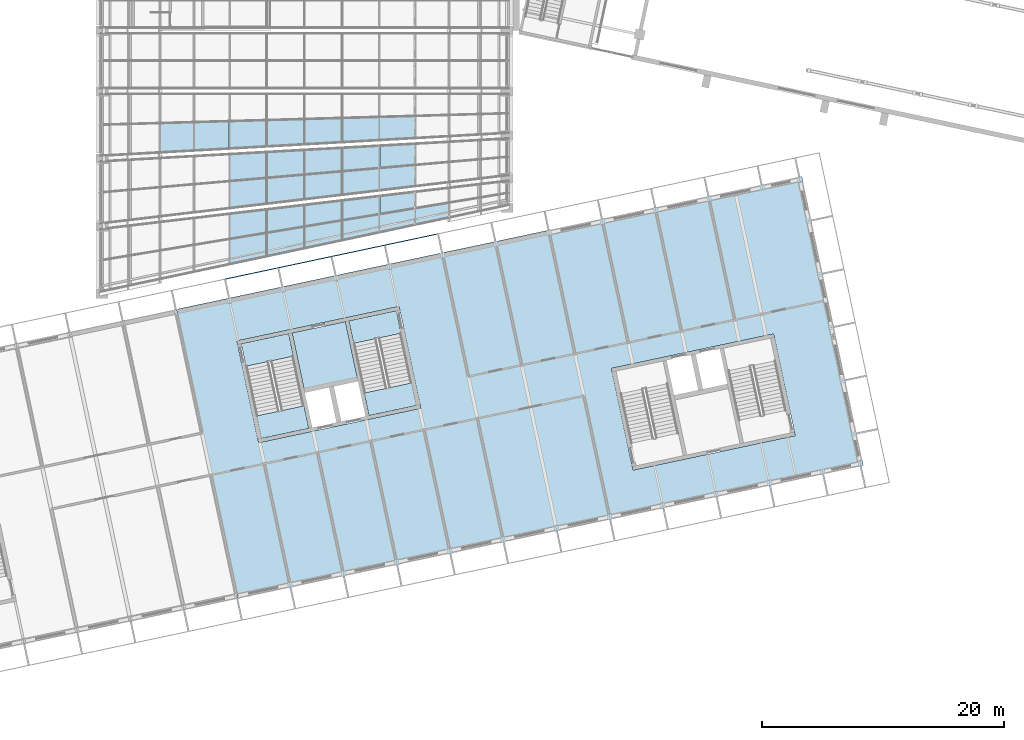
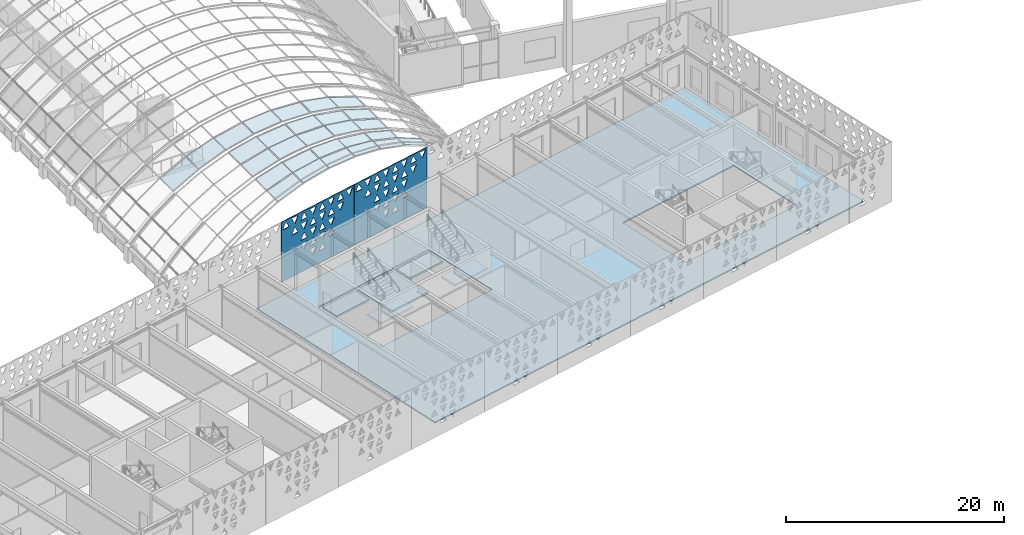
# One storey, part 102 of 182: 30 plates, 6 slabs, 5 elements without a shape of their own.
"""IFC4 building model written with IfcOpenShell, lengths in metres."""

from ifc_helpers import new_model, si_unit, direction, frame, origin, place, context, subcontext, project, spatial, polyline, outline, extrude, material, layer, layer_set, type_object, element, aggregate, save


model = new_model("IFC4")

# Units and contexts
model_context = context("Model", 3, precision=1e-05, world=origin(), true_north=direction((0.0, 1.0)))
body_context = subcontext(model_context, "Body", "Model", "MODEL_VIEW")
ifc_project = project(units=[si_unit("LENGTHUNIT", "METRE"), si_unit("AREAUNIT", "SQUARE_METRE"), si_unit("VOLUMEUNIT", "CUBIC_METRE"), si_unit("PLANEANGLEUNIT", "RADIAN"), si_unit("MASSUNIT", "GRAM", prefix="KILO")], contexts=[model_context])

# Site, building, storey
site_placement = place(None, origin())
site = spatial("IfcSite", under=ifc_project, at=site_placement, CompositionType="ELEMENT")
building_placement = place(site_placement, origin())
building = spatial("IfcBuilding", under=site, at=building_placement, Name="Okhra Congress Centre", CompositionType="ELEMENT")
storey_placement = place(building_placement, frame((0.0, 0.0, 7.199951171875)))
storey = spatial("IfcBuildingStorey", under=building, at=storey_placement, Name="L01", CompositionType="ELEMENT", Elevation=7.199951171875)

# Slabs
ifc_material_1 = material(Name="Concrete C30/37 on profiled steel deck", Category="concrete")
ifc_layer_1 = layer(ifc_material_1, 0.14990234375)
ifc_layer_set_1 = layer_set([ifc_layer_1], Name="Composite floor deck 150 REI 120 C30/37")
slab_type_1 = type_object("IfcSlabType", Name="Composite floor deck 150 REI 120 C30/37", PredefinedType="FLOOR", material=ifc_layer_set_1)
slab_1_placement = place(storey_placement, frame((0.0, 0.0, -0.14990234375)))
element("IfcSlab", 1, at=slab_1_placement, inside=storey, type_object=slab_type_1, Name="Floor slab L01 bay 3", PredefinedType="FLOOR", context=body_context, shape_type="SweptSolid", body=[
    extrude(outline(polyline([(161.6630859375, 72.9697265625), (166.74658203125, 49.053955078125), (218.441650390625, 60.042236328125), (213.3583984375, 83.957763671875), (161.6630859375, 72.9697265625)]), holes=[polyline([(168.45458984375, 61.940673828125), (181.855224609375, 64.7890625), (180.067138671875, 73.201171875), (166.66650390625, 70.352783203125), (168.45458984375, 61.940673828125)]), polyline([(197.61376953125, 68.087646484375), (199.40185546875, 59.675537109375), (212.802490234375, 62.52392578125), (211.014404296875, 70.93603515625), (197.61376953125, 68.087646484375)])]), origin(), (0.0, 0.0, 1.0), 0.14990234375),
])
ifc_material_2 = material(Name="Concrete C30/37", Category="concrete")
ifc_layer_2 = layer(ifc_material_2, 0.199951171875)
ifc_layer_set_2 = layer_set([ifc_layer_2], Name="RC floor slab 200 REI 120 C30/37")
slab_type_2 = type_object("IfcSlabType", Name="RC floor slab 200 REI 120 C30/37", PredefinedType="FLOOR", material=ifc_layer_set_2)
slab_2_placement = place(storey_placement, frame((0.0, 0.0, -0.199951171875)))
element("IfcSlab", 2, at=slab_2_placement, inside=storey, type_object=slab_type_2, Name="Stair floor landing 4A L01", PredefinedType="FLOOR", context=body_context, shape_type="SweptSolid", body=[
    extrude(outline(polyline([(167.0166015625, 70.12548828125), (170.93896484375, 70.959228515625), (171.3359375, 69.091064453125), (167.41357421875, 68.25732421875), (167.0166015625, 70.12548828125)])), origin(), (0.0, 0.0, 1.0), 0.199951171875),
])
slab_3_placement = place(storey_placement, frame((0.0, 0.0, -0.199951171875)))
element("IfcSlab", 3, at=slab_3_placement, inside=storey, type_object=slab_type_2, Name="Stair floor landing 4B L01", PredefinedType="FLOOR", context=body_context, shape_type="SweptSolid", body=[
    extrude(outline(polyline([(175.917724609375, 72.017578125), (179.840087890625, 72.851318359375), (180.237060546875, 70.983154296875), (176.314697265625, 70.1494140625), (175.917724609375, 72.017578125)])), origin(), (0.0, 0.0, 1.0), 0.199951171875),
])
slab_4_placement = place(storey_placement, frame((0.0, 0.0, -0.199951171875)))
element("IfcSlab", 4, at=slab_4_placement, inside=storey, type_object=slab_type_2, Name="Riser room floor 4 L01", PredefinedType="FLOOR", context=body_context, shape_type="SweptSolid", body=[
    extrude(outline(polyline([(172.20556640625, 66.41845703125), (176.607421875, 67.35400390625), (175.630126953125, 71.951416015625), (171.228515625, 71.015869140625), (172.20556640625, 66.41845703125)])), origin(), (0.0, 0.0, 1.0), 0.199951171875),
])

# Stair, slab
stair_type = type_object("IfcStairType", Name="Escape stair 1900 wide, 30 risers of 160.0", PredefinedType="HALF_TURN_STAIR", material=ifc_material_2)
stair_1_placement = place(storey_placement, origin())
stair_1 = element("IfcStair", 5, at=stair_1_placement, inside=storey, type_object=stair_type, Name="L01 Escape stair 4A", PredefinedType="HALF_TURN_STAIR")
ifc_layer_3 = layer(ifc_material_2, 0.199951171875)
ifc_layer_set_3 = layer_set([ifc_layer_3], Name="RC stair landing 200 C30/37")
slab_type_3 = type_object("IfcSlabType", Name="RC stair landing 200 C30/37", PredefinedType="LANDING", material=ifc_layer_set_3)
slab_5_placement = place(storey_placement, frame((0.0, 0.0, 2.199951171875)))
slab_5 = element("IfcSlab", 6, at=slab_5_placement, type_object=slab_type_3, Name="BS4A landing 1", PredefinedType="LANDING", context=body_context, shape_type="SweptSolid", body=[
    extrude(outline(polyline([(168.28466796875, 64.158935546875), (172.20703125, 64.99267578125), (172.604248046875, 63.124267578125), (168.681884765625, 62.29052734375), (168.28466796875, 64.158935546875)])), origin(), (0.0, 0.0, 1.0), 0.2001953125),
])
aggregate(stair_1, [slab_5])

stair_2_placement = place(storey_placement, origin())
stair_2 = element("IfcStair", 7, at=stair_2_placement, inside=storey, type_object=stair_type, Name="L01 Escape stair 4B", PredefinedType="HALF_TURN_STAIR")
slab_6_placement = place(storey_placement, frame((0.0, 0.0, 2.199951171875)))
slab_6 = element("IfcSlab", 8, at=slab_6_placement, type_object=slab_type_3, Name="BS4B landing 1", PredefinedType="LANDING", context=body_context, shape_type="SweptSolid", body=[
    extrude(outline(polyline([(177.185791015625, 66.05078125), (181.108154296875, 66.884521484375), (181.50537109375, 65.016357421875), (177.5830078125, 64.1826171875), (177.185791015625, 66.05078125)])), origin(), (0.0, 0.0, 1.0), 0.2001953125),
])
aggregate(stair_2, [slab_6])

# Plates
ifc_material_3 = material(Name="Fired clay terracotta rainscreen panel, deep oxide-red glaze, non-combustible", Category="masonry")
ifc_layer_4 = layer(ifc_material_3, 0.080078125)
ifc_layer_set_4 = layer_set([ifc_layer_4], Name="Terracotta screen panel 8980x6720")
plate_type_1 = type_object("IfcPlateType", Name="Terracotta screen panel 8980x6720", PredefinedType="SHEET", material=ifc_layer_set_4)
plate_1_placement = place(storey_placement, frame((183.2802734375, 79.2001953125, 0.010009765625), z_axis=(0.0, 0.0, 1.0), x_axis=(-0.978150766104, -0.207896798366, 0.0)))
element("IfcPlate", 9, at=plate_1_placement, inside=storey, type_object=plate_type_1, Name="Screen panel N5 Tier 1", PredefinedType="SHEET", context=body_context, shape_type="SweptSolid", body=[
    extrude(outline(polyline([(0.0, 0.0), (8.980224609375, 0.0), (8.980224609375, 6.719970703125), (0.0, 6.719970703125), (0.0, 0.0)]), holes=[polyline([(3.536376953125, 1.303955078125), (4.3037109375, 1.303955078125), (3.919921875, 2.05615234375), (3.536376953125, 1.303955078125)]), polyline([(4.656494140625, 2.05615234375), (5.0400390625, 1.303955078125), (5.423583984375, 2.05615234375), (4.656494140625, 2.05615234375)]), polyline([(2.41650390625, 2.423828125), (3.18359375, 2.423828125), (2.800048828125, 3.176025390625), (2.41650390625, 2.423828125)]), polyline([(3.536376953125, 3.176025390625), (3.919921875, 2.423828125), (4.3037109375, 3.176025390625), (3.536376953125, 3.176025390625)]), polyline([(4.656494140625, 2.423828125), (5.423583984375, 2.423828125), (5.0400390625, 3.176025390625), (4.656494140625, 2.423828125)]), polyline([(5.7763671875, 3.176025390625), (6.159912109375, 2.423828125), (6.543701171875, 3.176025390625), (5.7763671875, 3.176025390625)]), polyline([(2.41650390625, 4.296142578125), (2.800048828125, 3.5439453125), (3.18359375, 4.296142578125), (2.41650390625, 4.296142578125)]), polyline([(3.536376953125, 3.5439453125), (4.3037109375, 3.5439453125), (3.919921875, 4.296142578125), (3.536376953125, 3.5439453125)]), polyline([(4.656494140625, 4.296142578125), (5.0400390625, 3.5439453125), (5.423583984375, 4.296142578125), (4.656494140625, 4.296142578125)]), polyline([(5.7763671875, 3.5439453125), (6.543701171875, 3.5439453125), (6.159912109375, 4.296142578125), (5.7763671875, 3.5439453125)]), polyline([(1.29638671875, 5.416015625), (1.679931640625, 4.663818359375), (2.0634765625, 5.416015625), (1.29638671875, 5.416015625)]), polyline([(2.41650390625, 4.663818359375), (3.18359375, 4.663818359375), (2.800048828125, 5.416015625), (2.41650390625, 4.663818359375)]), polyline([(3.536376953125, 5.416015625), (3.919921875, 4.663818359375), (4.3037109375, 5.416015625), (3.536376953125, 5.416015625)]), polyline([(4.656494140625, 4.663818359375), (5.423583984375, 4.663818359375), (5.0400390625, 5.416015625), (4.656494140625, 4.663818359375)]), polyline([(5.7763671875, 5.416015625), (6.159912109375, 4.663818359375), (6.543701171875, 5.416015625), (5.7763671875, 5.416015625)]), polyline([(6.896484375, 4.663818359375), (7.66357421875, 4.663818359375), (7.280029296875, 5.416015625), (6.896484375, 4.663818359375)]), polyline([(0.176513671875, 6.5361328125), (0.56005859375, 5.783935546875), (0.943603515625, 6.5361328125), (0.176513671875, 6.5361328125)]), polyline([(1.29638671875, 5.783935546875), (2.0634765625, 5.783935546875), (1.679931640625, 6.5361328125), (1.29638671875, 5.783935546875)]), polyline([(2.41650390625, 6.5361328125), (2.800048828125, 5.783935546875), (3.18359375, 6.5361328125), (2.41650390625, 6.5361328125)]), polyline([(3.536376953125, 5.783935546875), (4.3037109375, 5.783935546875), (3.919921875, 6.5361328125), (3.536376953125, 5.783935546875)]), polyline([(4.656494140625, 6.5361328125), (5.0400390625, 5.783935546875), (5.423583984375, 6.5361328125), (4.656494140625, 6.5361328125)]), polyline([(5.7763671875, 5.783935546875), (6.543701171875, 5.783935546875), (6.159912109375, 6.5361328125), (5.7763671875, 5.783935546875)]), polyline([(6.896484375, 6.5361328125), (7.280029296875, 5.783935546875), (7.66357421875, 6.5361328125), (6.896484375, 6.5361328125)]), polyline([(8.016357421875, 5.783935546875), (8.78369140625, 5.783935546875), (8.39990234375, 6.5361328125), (8.016357421875, 5.783935546875)])]), frame((0.0, 0.0400390625, 0.0), z_axis=(0.0, -1.0, 0.0), x_axis=(1.0, 0.0, 0.0)), (0.0, 0.0, 1.0), 0.080078125),
])
plate_2_placement = place(storey_placement, frame((174.476806640625, 77.3291015625, 0.010009765625), z_axis=(0.0, 0.0, 1.0), x_axis=(-0.978149591018, -0.207902327047, 0.0)))
element("IfcPlate", 10, at=plate_2_placement, inside=storey, type_object=plate_type_1, Name="Screen panel N6 Tier 1", PredefinedType="SHEET", context=body_context, shape_type="SweptSolid", body=[
    extrude(outline(polyline([(0.0, 0.0), (8.97998046875, 0.0), (8.97998046875, 6.719970703125), (0.0, 6.719970703125), (0.0, 0.0)]), holes=[polyline([(3.536376953125, 1.303955078125), (4.3037109375, 1.303955078125), (3.919921875, 2.05615234375), (3.536376953125, 1.303955078125)]), polyline([(4.656494140625, 2.05615234375), (5.0400390625, 1.303955078125), (5.423583984375, 2.05615234375), (4.656494140625, 2.05615234375)]), polyline([(2.41650390625, 2.423828125), (3.18359375, 2.423828125), (2.800048828125, 3.176025390625), (2.41650390625, 2.423828125)]), polyline([(3.536376953125, 3.176025390625), (3.919921875, 2.423828125), (4.3037109375, 3.176025390625), (3.536376953125, 3.176025390625)]), polyline([(4.656494140625, 2.423828125), (5.423583984375, 2.423828125), (5.0400390625, 3.176025390625), (4.656494140625, 2.423828125)]), polyline([(5.7763671875, 3.176025390625), (6.159912109375, 2.423828125), (6.543701171875, 3.176025390625), (5.7763671875, 3.176025390625)]), polyline([(2.41650390625, 4.296142578125), (2.800048828125, 3.5439453125), (3.18359375, 4.296142578125), (2.41650390625, 4.296142578125)]), polyline([(3.536376953125, 3.5439453125), (4.3037109375, 3.5439453125), (3.919921875, 4.296142578125), (3.536376953125, 3.5439453125)]), polyline([(4.656494140625, 4.296142578125), (5.0400390625, 3.5439453125), (5.423583984375, 4.296142578125), (4.656494140625, 4.296142578125)]), polyline([(5.7763671875, 3.5439453125), (6.543701171875, 3.5439453125), (6.159912109375, 4.296142578125), (5.7763671875, 3.5439453125)]), polyline([(1.29638671875, 5.416015625), (1.679931640625, 4.663818359375), (2.0634765625, 5.416015625), (1.29638671875, 5.416015625)]), polyline([(2.41650390625, 4.663818359375), (3.18359375, 4.663818359375), (2.800048828125, 5.416015625), (2.41650390625, 4.663818359375)]), polyline([(3.536376953125, 5.416015625), (3.919921875, 4.663818359375), (4.3037109375, 5.416015625), (3.536376953125, 5.416015625)]), polyline([(4.656494140625, 4.663818359375), (5.423583984375, 4.663818359375), (5.0400390625, 5.416015625), (4.656494140625, 4.663818359375)]), polyline([(5.7763671875, 5.416015625), (6.159912109375, 4.663818359375), (6.543701171875, 5.416015625), (5.7763671875, 5.416015625)]), polyline([(6.896484375, 4.663818359375), (7.66357421875, 4.663818359375), (7.280029296875, 5.416015625), (6.896484375, 4.663818359375)]), polyline([(0.176513671875, 6.5361328125), (0.56005859375, 5.783935546875), (0.943603515625, 6.5361328125), (0.176513671875, 6.5361328125)]), polyline([(1.29638671875, 5.783935546875), (2.0634765625, 5.783935546875), (1.679931640625, 6.5361328125), (1.29638671875, 5.783935546875)]), polyline([(2.41650390625, 6.5361328125), (2.800048828125, 5.783935546875), (3.18359375, 6.5361328125), (2.41650390625, 6.5361328125)]), polyline([(3.536376953125, 5.783935546875), (4.3037109375, 5.783935546875), (3.919921875, 6.5361328125), (3.536376953125, 5.783935546875)]), polyline([(4.656494140625, 6.5361328125), (5.0400390625, 5.783935546875), (5.423583984375, 6.5361328125), (4.656494140625, 6.5361328125)]), polyline([(5.7763671875, 5.783935546875), (6.543701171875, 5.783935546875), (6.159912109375, 6.5361328125), (5.7763671875, 5.783935546875)]), polyline([(6.896484375, 6.5361328125), (7.280029296875, 5.783935546875), (7.66357421875, 6.5361328125), (6.896484375, 6.5361328125)]), polyline([(8.016357421875, 5.783935546875), (8.78369140625, 5.783935546875), (8.39990234375, 6.5361328125), (8.016357421875, 5.783935546875)])]), frame((0.0, 0.0400390625, 0.0), z_axis=(0.0, -1.0, 0.0), x_axis=(1.0, 0.0, 0.0)), (0.0, 0.0, 1.0), 0.080078125),
])

# Curtain wall, plates
ifc_material_4 = material(Name="Aluminium frame with triple glazing", Category="aluminium")
curtain_wall_type = type_object("IfcCurtainWallType", Name="Glazed vault bay curtain wall", PredefinedType="NOTDEFINED", material=ifc_material_4)
curtain_wall_1_placement = place(storey_placement, origin())
curtain_wall_1 = element("IfcCurtainWall", 11, at=curtain_wall_1_placement, inside=storey, type_object=curtain_wall_type, Name="Vault glazing bay 1", PredefinedType="NOTDEFINED")
ifc_material_5 = material(Name="Toughened triple glazed unit")
ifc_layer_5 = layer(ifc_material_5, 0.028076171875)
ifc_layer_set_5 = layer_set([ifc_layer_5], Name="Triple glazed unit 28 mm")
plate_type_2 = type_object("IfcPlateType", Name="Triple glazed unit 28 mm", PredefinedType="CURTAIN_PANEL", material=ifc_layer_set_5)
plate_3_placement = place(storey_placement, frame((166.103759765625, 76.72509765625, 8.110107421875), z_axis=(-0.196590791611, 0.0, 0.980485624909), x_axis=(0.959852959101, 0.204068137642, 0.192453870068)))
plate_3 = element("IfcPlate", 12, at=plate_3_placement, type_object=plate_type_2, Name="Vault glass panel 1.1.5", PredefinedType="CURTAIN_PANEL", context=body_context, shape_type="SweptSolid", body=[
    extrude(outline(polyline([(0.0, 0.0), (3.132091876932576, -6.938893903907228e-17), (3.5151182055930974, 1.8374558130741832), (0.4118728744844601, 1.975838606488589), (0.0, 0.0)])), origin(), (0.0, 0.0, -1.0), 0.028076171875),
])
plate_4_placement = place(storey_placement, frame((169.15771484375, 77.376953125, 8.809814453125), z_axis=(-0.065932355807, 0.0, 0.997824094947), x_axis=(0.976103801988, 0.207512611004, 0.06449716288)))
plate_4 = element("IfcPlate", 13, at=plate_4_placement, type_object=plate_type_2, Name="Vault glass panel 1.1.6", PredefinedType="CURTAIN_PANEL", context=body_context, shape_type="SweptSolid", body=[
    extrude(outline(polyline([(0.0, 0.0), (3.13422216535314, 6.071532165918825e-17), (3.4932149294099055, 1.6923228467438929), (0.38888349659889004, 1.833230337511448), (0.0, 0.0)])), origin(), (0.0, 0.0, -1.0), 0.028076171875),
])
plate_5_placement = place(storey_placement, frame((172.27685546875, 78.0400390625, 8.922119140625), z_axis=(0.065927117555, 0.0, 0.997824441057), x_axis=(0.976107479882, 0.207496834217, -0.064492259284)))
plate_5 = element("IfcPlate", 14, at=plate_5_placement, type_object=plate_type_2, Name="Vault glass panel 1.1.7", PredefinedType="CURTAIN_PANEL", context=body_context, shape_type="SweptSolid", body=[
    extrude(outline(polyline([(0.0, 0.0), (3.1344604723944007, -1.0842021724855044e-17), (3.4629802404356393, 1.548793565676284), (0.3584082280480745, 1.6897015384980276), (0.0, 0.0)])), origin(), (0.0, 0.0, -1.0), 0.028076171875),
])
plate_6_placement = place(storey_placement, frame((175.40771484375, 78.703125, 8.80126953125), z_axis=(0.196682690656, 0.0, 0.98046719435), x_axis=(0.95983242147, 0.204080344303, -0.192543334771)))
plate_6 = element("IfcPlate", 15, at=plate_6_placement, type_object=plate_type_2, Name="Vault glass panel 1.1.8", PredefinedType="CURTAIN_PANEL", context=body_context, shape_type="SweptSolid", body=[
    extrude(outline(polyline([(0.0, 0.0), (3.131904537066973, 2.7755575615628914e-17), (3.4255689778199576, 1.4086805946649863), (0.32256253638188337, 1.547302030855297), (0.0, 0.0)])), origin(), (0.0, 0.0, -1.0), 0.028076171875),
])
plate_7_placement = place(storey_placement, frame((178.4482421875, 79.3544921875, 8.095947265625), z_axis=(0.323909017048, 0.0, 0.946088235143), x_axis=(0.927513855002, 0.197180609134, -0.31754976958)))
plate_7 = element("IfcPlate", 16, at=plate_7_placement, type_object=plate_type_2, Name="Vault glass panel 1.1.9", PredefinedType="CURTAIN_PANEL", context=body_context, shape_type="SweptSolid", body=[
    extrude(outline(polyline([(0.0, 0.0), (3.127585524038401, 6.938893903907228e-17), (3.383881804075473, 1.274285855876197), (0.2832064266450212, 1.4080810837940771), (0.0, 0.0)])), origin(), (0.0, 0.0, -1.0), 0.028076171875),
])
plate_8_placement = place(storey_placement, frame((181.43896484375, 79.98291015625, 7.16259765625), z_axis=(0.445588482535, 0.0, 0.895237903706), x_axis=(0.879441236787, 0.187026949849, -0.437725977147)))
plate_8 = element("IfcPlate", 17, at=plate_8_placement, type_object=plate_type_2, Name="Vault glass panel 1.1.10", PredefinedType="CURTAIN_PANEL", context=body_context, shape_type="SweptSolid", body=[
    extrude(outline(polyline([(0.0, 0.0), (3.121155720311573, 4.163336342344337e-17), (3.3395973531435343, 1.1473596881633368), (0.24259623646241837, 1.2742311921429366), (0.0, 0.0)])), origin(), (0.0, 0.0, -1.0), 0.028076171875),
])
plate_9_placement = place(storey_placement, frame((166.086181640625, 78.803466796875, 8.1982421875), z_axis=(-0.196682690656, 0.0, 0.98046719435), x_axis=(0.967793845404, 0.16026408274, 0.1941404043)))
plate_9 = element("IfcPlate", 18, at=plate_9_placement, type_object=plate_type_2, Name="Vault glass panel 1.2.5", PredefinedType="CURTAIN_PANEL", context=body_context, shape_type="SweptSolid", body=[
    extrude(outline(polyline([(0.0, 0.0), (3.1061403519986652, -6.938893903907228e-17), (3.4069093959495826, 1.8524509694549798), (0.32350181545286644, 1.9924631996167264), (0.0, 0.0)])), origin(), (0.0, 0.0, -1.0), 0.028076171875),
])
plate_10_placement = place(storey_placement, frame((169.16357421875, 79.31103515625, 8.719970703125), z_axis=(-0.065927117555, 0.0, 0.997824441057), x_axis=(0.984491195637, 0.162929679201, 0.065046178582)))
plate_10 = element("IfcPlate", 19, at=plate_10_placement, type_object=plate_type_2, Name="Vault glass panel 1.2.6", PredefinedType="CURTAIN_PANEL", context=body_context, shape_type="SweptSolid", body=[
    extrude(outline(polyline([(0.0, 0.0), (3.1077680796521654, -3.859759734048396e-17), (3.389673020203958, 1.7071048015219688), (0.30533403748773275, 1.8489821442758054), (0.0, 0.0)])), origin(), (0.0, 0.0, -1.0), 0.028076171875),
])
plate_11_placement = place(storey_placement, frame((172.282958984375, 79.827392578125, 9.011962890625), z_axis=(0.065932355807, 0.0, 0.997824094947), x_axis=(0.984488777565, 0.162942281116, -0.065051209626)))
plate_11 = element("IfcPlate", 20, at=plate_11_placement, type_object=plate_type_2, Name="Vault glass panel 1.2.7", PredefinedType="CURTAIN_PANEL", context=body_context, shape_type="SweptSolid", body=[
    extrude(outline(polyline([(0.0, 0.0), (3.1075277256515186, 4.2500725161431774e-17), (3.3655064104756423, 1.5620927454061566), (0.2814493747310214, 1.704210666730695), (0.0, 0.0)])), origin(), (0.0, 0.0, -1.0), 0.028076171875),
])
plate_12_placement = place(storey_placement, frame((175.389892578125, 80.343505859375, 8.712890625), z_axis=(0.196590791611, 0.0, 0.980485624909), x_axis=(0.96781358912, 0.160254337195, -0.194050004185)))
plate_12 = element("IfcPlate", 21, at=plate_12_placement, type_object=plate_type_2, Name="Vault glass panel 1.2.8", PredefinedType="CURTAIN_PANEL", context=body_context, shape_type="SweptSolid", body=[
    extrude(outline(polyline([(0.0, 0.0), (3.106329245679011, 4.5102810375396984e-17), (3.336929602960734, 1.4203673105116168), (0.25329262182590334, 1.5601387798188338), (0.0, 0.0)])), origin(), (0.0, 0.0, -1.0), 0.028076171875),
])
plate_13_placement = place(storey_placement, frame((178.4775390625, 80.850830078125, 8.18115234375), z_axis=(0.323933419168, 0.0, 0.94607988032), x_axis=(0.934683850464, 0.154744813893, -0.320031470725)))
plate_13 = element("IfcPlate", 22, at=plate_13_placement, type_object=plate_type_2, Name="Vault glass panel 1.2.9", PredefinedType="CURTAIN_PANEL", context=body_context, shape_type="SweptSolid", body=[
    extrude(outline(polyline([(0.0, 0.0), (3.10333249492272, -6.938893903907228e-18), (3.3044327498916126, 1.2839066564378796), (0.22225677249332979, 1.4189785571715283), (0.0, 0.0)])), origin(), (0.0, 0.0, -1.0), 0.028076171875),
])
aggregate(curtain_wall_1, [plate_3, plate_4, plate_5, plate_6, plate_7, plate_8, plate_9, plate_10, plate_11, plate_12, plate_13])

curtain_wall_2_placement = place(storey_placement, origin())
curtain_wall_2 = element("IfcCurtainWall", 23, at=curtain_wall_2_placement, inside=storey, type_object=curtain_wall_type, Name="Vault glazing bay 2", PredefinedType="NOTDEFINED")
plate_14_placement = place(storey_placement, frame((166.103759765625, 81.35107421875, 8.110107421875), z_axis=(-0.196590791611, 0.0, 0.980485624909), x_axis=(0.973935687998, 0.115394848854, 0.195277506388)))
plate_14 = element("IfcPlate", 24, at=plate_14_placement, type_object=plate_type_2, Name="Vault glass panel 2.1.5", PredefinedType="CURTAIN_PANEL", context=body_context, shape_type="SweptSolid", body=[
    extrude(outline(polyline([(0.0, 0.0), (3.086803054141068, 3.469446951953614e-17), (3.3262417309992327, 2.0610898781202747), (0.2502287713677162, 2.1539710904182), (0.0, 0.0)])), origin(), (0.0, 0.0, -1.0), 0.028076171875),
])
plate_15_placement = place(storey_placement, frame((169.15771484375, 81.71435546875, 8.809814453125), z_axis=(-0.065932355807, 0.0, 0.997824094947), x_axis=(0.990929498487, 0.117352116811, 0.065476787547)))
plate_15 = element("IfcPlate", 25, at=plate_15_placement, type_object=plate_type_2, Name="Vault glass panel 2.1.6", PredefinedType="CURTAIN_PANEL", context=body_context, shape_type="SweptSolid", body=[
    extrude(outline(polyline([(0.0, 0.0), (3.0873298015093082, -4.466912950640278e-17), (3.3194554974078967, 1.964359904377575), (0.2432707089453115, 2.058674394972845), (0.0, 0.0)])), origin(), (0.0, 0.0, -1.0), 0.028076171875),
])
plate_16_placement = place(storey_placement, frame((172.27685546875, 82.083740234375, 8.922119140625), z_axis=(0.065927117555, 0.0, 0.997824441057), x_axis=(0.990921729005, 0.117420903892, -0.065471049443)))
plate_16 = element("IfcPlate", 26, at=plate_16_placement, type_object=plate_type_2, Name="Vault glass panel 2.1.7", PredefinedType="CURTAIN_PANEL", context=body_context, shape_type="SweptSolid", body=[
    extrude(outline(polyline([(0.0, 0.0), (3.0876003855243073, -1.5829351718288365e-17), (3.308452593430213, 1.8678480373918211), (0.2320324209229496, 1.9624042075090082), (0.0, 0.0)])), origin(), (0.0, 0.0, -1.0), 0.028076171875),
])
plate_17_placement = place(storey_placement, frame((175.40771484375, 82.453369140625, 8.80126953125), z_axis=(0.196682690656, 0.0, 0.98046719435), x_axis=(0.973916571084, 0.11540195543, -0.195368629138)))
plate_17 = element("IfcPlate", 27, at=plate_17_placement, type_object=plate_type_2, Name="Vault glass panel 2.1.8", PredefinedType="CURTAIN_PANEL", context=body_context, shape_type="SweptSolid", body=[
    extrude(outline(polyline([(0.0, 0.0), (3.0866129655025247, -4.336808689942018e-17), (3.292651661806377, 1.773471908565036), (0.2168294553199026, 1.8663530436642304), (0.0, 0.0)])), origin(), (0.0, 0.0, -1.0), 0.028076171875),
])
plate_18_placement = place(storey_placement, frame((178.4482421875, 82.81640625, 8.095947265625), z_axis=(0.323909017048, 0.0, 0.946088235143), x_axis=(0.940206448148, 0.111333990283, -0.321895289603)))
plate_18 = element("IfcPlate", 28, at=plate_18_placement, type_object=plate_type_2, Name="Vault glass panel 2.1.9", PredefinedType="CURTAIN_PANEL", context=body_context, shape_type="SweptSolid", body=[
    extrude(outline(polyline([(0.0, 0.0), (3.0853637644842884, 2.0816681711721685e-17), (3.2739194018363484, 1.6830744605513206), (0.19858548169153126, 1.7726022789084541), (0.0, 0.0)])), origin(), (0.0, 0.0, -1.0), 0.028076171875),
])
plate_19_placement = place(storey_placement, frame((166.086181640625, 83.57958984375, 8.1982421875), z_axis=(-0.196682690656, 0.0, 0.98046719435), x_axis=(0.976888020133, 0.085367620374, 0.195964704762)))
plate_19 = element("IfcPlate", 29, at=plate_19_placement, type_object=plate_type_2, Name="Vault glass panel 2.2.5", PredefinedType="CURTAIN_PANEL", context=body_context, shape_type="SweptSolid", body=[
    extrude(outline(polyline([(0.0, 0.0), (3.077224260786438, -3.8163916471489756e-17), (3.254357904721326, 2.0673766076483946), (0.18511601664074326, 2.160541125912818), (0.0, 0.0)])), origin(), (0.0, 0.0, -1.0), 0.028076171875),
])
plate_20_placement = place(storey_placement, frame((169.16357421875, 83.847412109375, 8.719970703125), z_axis=(-0.065927117555, 0.0, 0.997824441057), x_axis=(0.994053475892, 0.086856731256, 0.065677966648)))
plate_20 = element("IfcPlate", 30, at=plate_20_placement, type_object=plate_type_2, Name="Vault glass panel 2.2.6", PredefinedType="CURTAIN_PANEL", context=body_context, shape_type="SweptSolid", body=[
    extrude(outline(polyline([(0.0, 0.0), (3.0778729582484154, -3.729655473350135e-17), (3.249656742405072, 1.9703087905361956), (0.18007503950849635, 2.065407017557508), (0.0, 0.0)])), origin(), (0.0, 0.0, -1.0), 0.028076171875),
])
plate_21_placement = place(storey_placement, frame((172.282958984375, 84.119873046875, 9.011962890625), z_axis=(0.065932355807, 0.0, 0.997824094947), x_axis=(0.994052535214, 0.086863580405, -0.065683145731)))
plate_21 = element("IfcPlate", 31, at=plate_21_placement, type_object=plate_type_2, Name="Vault glass panel 2.2.7", PredefinedType="CURTAIN_PANEL", context=body_context, shape_type="SweptSolid", body=[
    extrude(outline(polyline([(0.0, 0.0), (3.077630269526352, -2.970713952610282e-17), (3.241008449077857, 1.873750132480803), (0.17164888178736754, 1.968605084670252), (0.0, 0.0)])), origin(), (0.0, 0.0, -1.0), 0.028076171875),
])
plate_22_placement = place(storey_placement, frame((175.389892578125, 84.392333984375, 8.712890625), z_axis=(0.196590791611, 0.0, 0.980485624909), x_axis=(0.976906827731, 0.08536233122, -0.19587323028)))
plate_22 = element("IfcPlate", 32, at=plate_22_placement, type_object=plate_type_2, Name="Vault glass panel 2.2.8", PredefinedType="CURTAIN_PANEL", context=body_context, shape_type="SweptSolid", body=[
    extrude(outline(polyline([(0.0, 0.0), (3.0774149293553146, 2.0816681711721685e-17), (3.229820868859582, 1.7788836343189298), (0.16040865805611224, 1.8722914444623002), (0.0, 0.0)])), origin(), (0.0, 0.0, -1.0), 0.028076171875),
])
plate_23_placement = place(storey_placement, frame((178.4775390625, 84.66015625, 8.18115234375), z_axis=(0.323933419168, 0.0, 0.94607988032), x_axis=(0.942864563511, 0.082374666857, -0.322832509415)))
plate_23 = element("IfcPlate", 33, at=plate_23_placement, type_object=plate_type_2, Name="Vault glass panel 2.2.9", PredefinedType="CURTAIN_PANEL", context=body_context, shape_type="SweptSolid", body=[
    extrude(outline(polyline([(0.0, 0.0), (3.076406599505221, 3.122502256758253e-17), (3.2158965138895184, 1.6876043780120544), (0.14693098536500487, 1.7776294097110825), (0.0, 0.0)])), origin(), (0.0, 0.0, -1.0), 0.028076171875),
])
aggregate(curtain_wall_2, [plate_14, plate_15, plate_16, plate_17, plate_18, plate_19, plate_20, plate_21, plate_22, plate_23])

curtain_wall_3_placement = place(storey_placement, origin())
curtain_wall_3 = element("IfcCurtainWall", 34, at=curtain_wall_3_placement, inside=storey, type_object=curtain_wall_type, Name="Vault glazing bay 3", PredefinedType="NOTDEFINED")
plate_24_placement = place(storey_placement, frame((160.356201171875, 85.951171875, 5.7158203125), z_axis=(-0.445588482535, 0.0, 0.895237903706), x_axis=(0.894102888043, 0.05033951153, 0.445023549007)))
plate_24 = element("IfcPlate", 35, at=plate_24_placement, type_object=plate_type_2, Name="Vault glass panel 3.1.3", PredefinedType="CURTAIN_PANEL", context=body_context, shape_type="SweptSolid", body=[
    extrude(outline(polyline([(0.0, 0.0), (3.069974477860668, 1.3877787807814457e-17), (3.1850204171751475, 2.2825028756424715), (0.11894184389333749, 2.359797332599919), (0.0, 0.0)])), origin(), (0.0, 0.0, -1.0), 0.028076171875),
])
plate_25_placement = place(storey_placement, frame((163.121826171875, 86.108642578125, 7.18798828125), z_axis=(-0.323933419168, 0.0, 0.94607988032), x_axis=(0.944740276137, 0.053196805381, 0.32347474483)))
plate_25 = element("IfcPlate", 36, at=plate_25_placement, type_object=plate_type_2, Name="Vault glass panel 3.1.4", PredefinedType="CURTAIN_PANEL", context=body_context, shape_type="SweptSolid", body=[
    extrude(outline(polyline([(0.0, 0.0), (3.0702986195180135, 6.938893903907228e-18), (3.1874588688697676, 2.1992740948212703), (0.12151106229187561, 2.28094539753329), (0.0, 0.0)])), origin(), (0.0, 0.0, -1.0), 0.028076171875),
])
plate_26_placement = place(storey_placement, frame((166.103759765625, 86.275146484375, 8.110107421875), z_axis=(-0.196590791611, 0.0, 0.980485624909), x_axis=(0.978996361523, 0.0550953775, 0.196292189102)))
plate_26 = element("IfcPlate", 37, at=plate_26_placement, type_object=plate_type_2, Name="Vault glass panel 3.1.5", PredefinedType="CURTAIN_PANEL", context=body_context, shape_type="SweptSolid", body=[
    extrude(outline(polyline([(0.0, 0.0), (3.070846608226832, -8.673617379884035e-18), (3.187440048698125, 2.1129966165693914), (0.12126094437571648, 2.1975847367758496), (0.0, 0.0)])), origin(), (0.0, 0.0, -1.0), 0.028076171875),
])
plate_27_placement = place(storey_placement, frame((169.15771484375, 86.447509765625, 8.809814453125), z_axis=(-0.065932355807, 0.0, 0.997824094947), x_axis=(0.996255489513, 0.056049806089, 0.065828708428)))
plate_27 = element("IfcPlate", 38, at=plate_27_placement, type_object=plate_type_2, Name="Vault glass panel 3.1.6", PredefinedType="CURTAIN_PANEL", context=body_context, shape_type="SweptSolid", body=[
    extrude(outline(polyline([(0.0, 0.0), (3.070824907947785, 7.589415207398531e-18), (3.184525552185309, 2.0253754970331554), (0.11853110848302224, 2.1114216578771443), (0.0, 0.0)])), origin(), (0.0, 0.0, -1.0), 0.028076171875),
])
plate_28_placement = place(storey_placement, frame((172.27685546875, 86.623046875, 8.922119140625), z_axis=(0.065927117555, 0.0, 0.997824441057), x_axis=(0.996256083729, 0.056045366983, -0.065823494839)))
plate_28 = element("IfcPlate", 39, at=plate_28_placement, type_object=plate_type_2, Name="Vault glass panel 3.1.7", PredefinedType="CURTAIN_PANEL", context=body_context, shape_type="SweptSolid", body=[
    extrude(outline(polyline([(0.0, 0.0), (3.0710681344581934, -7.589415207398531e-18), (3.179847594300366, 1.937867278874658), (0.11359585856725987, 2.0236697043040768), (0.0, 0.0)])), origin(), (0.0, 0.0, -1.0), 0.028076171875),
])
plate_29_placement = place(storey_placement, frame((175.40771484375, 86.798583984375, 8.80126953125), z_axis=(0.196682690656, 0.0, 0.98046719435), x_axis=(0.978982059088, 0.055019539096, -0.196384771051)))
plate_29 = element("IfcPlate", 40, at=plate_29_placement, type_object=plate_type_2, Name="Vault glass panel 3.1.8", PredefinedType="CURTAIN_PANEL", context=body_context, shape_type="SweptSolid", body=[
    extrude(outline(polyline([(0.0, 0.0), (3.070642089625375, 1.474514954580286e-17), (3.1726888275434404, 1.85192691814415), (0.10668095202649386, 1.9360278509807607), (0.0, 0.0)])), origin(), (0.0, 0.0, -1.0), 0.028076171875),
])
plate_30_placement = place(storey_placement, frame((178.4482421875, 86.970947265625, 8.095947265625), z_axis=(0.323909017048, 0.0, 0.946088235143), x_axis=(0.94475281329, 0.053113522915, -0.323451813202)))
plate_30 = element("IfcPlate", 41, at=plate_30_placement, type_object=plate_type_2, Name="Vault glass panel 3.1.9", PredefinedType="CURTAIN_PANEL", context=body_context, shape_type="SweptSolid", body=[
    extrude(outline(polyline([(0.0, 0.0), (3.0705162931953245, 0.0), (3.1646060691407336, 1.7689838905235071), (0.09840784311600204, 1.8501679637793407), (0.0, 0.0)])), origin(), (0.0, 0.0, -1.0), 0.028076171875),
])
aggregate(curtain_wall_3, [plate_24, plate_25, plate_26, plate_27, plate_28, plate_29, plate_30])

save(model, "model.ifc")
